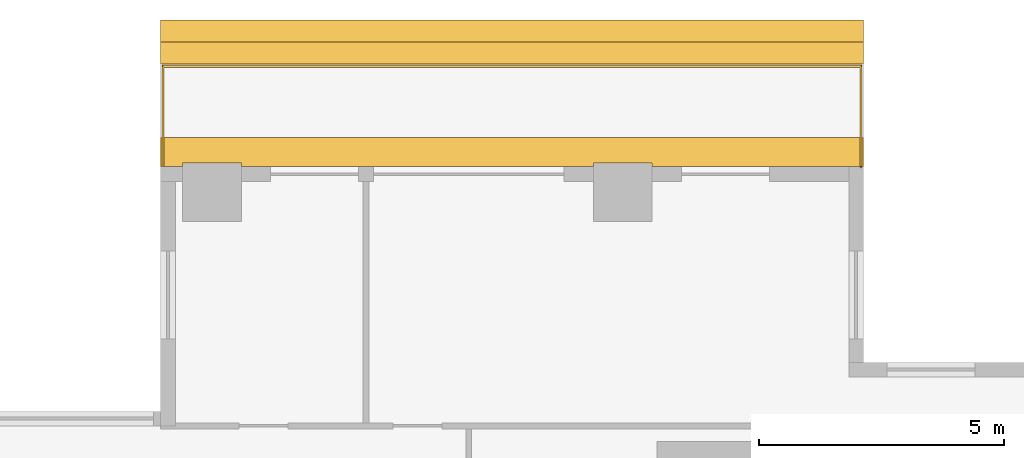
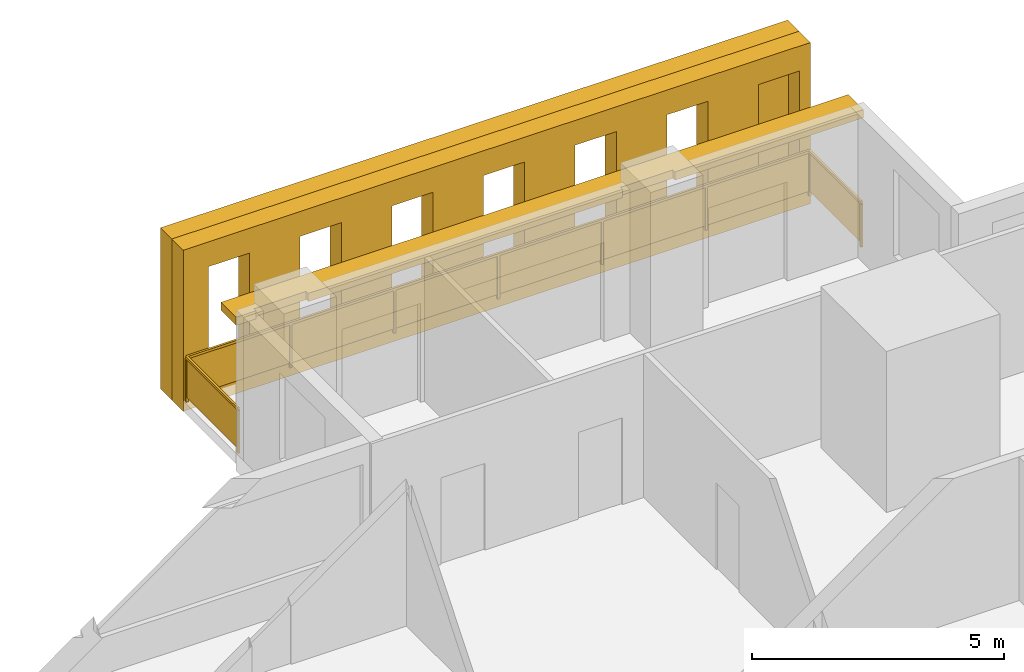
# One storey, part 16 of 16: 3 shading devices, 1 railing.
"""IFC4 building model written with IfcOpenShell, lengths in metres."""

from ifc_helpers import new_model, si_unit, direction, frame, origin, origin_2d, place, context, subcontext, project, spatial, polyline, rectangle, outline, extrude, material, layer, layer_set, type_object, element, save


model = new_model("IFC4")

# Units and contexts
model_context = context("Model", 3, precision=1e-05, world=origin(), true_north=direction((0.0, 1.0)))
body_context = subcontext(model_context, "Body", "Model", "MODEL_VIEW")
ifc_project = project(units=[si_unit("LENGTHUNIT", "METRE"), si_unit("AREAUNIT", "SQUARE_METRE"), si_unit("VOLUMEUNIT", "CUBIC_METRE"), si_unit("PLANEANGLEUNIT", "RADIAN"), si_unit("MASSUNIT", "GRAM", prefix="KILO")], contexts=[model_context])

# Site, building, storey
site_placement = place(None, origin())
site = spatial("IfcSite", under=ifc_project, at=site_placement, CompositionType="ELEMENT")
building_placement = place(site_placement, origin())
building = spatial("IfcBuilding", under=site, at=building_placement, Name="Khepri Terraces", CompositionType="ELEMENT")
storey_placement = place(building_placement, frame((0.0, 0.0, 153.300048828125)))
storey = spatial("IfcBuildingStorey", under=building, at=storey_placement, Name="L36", CompositionType="ELEMENT", Elevation=153.300048828125)

# Railing
ifc_material_1 = material(Name="Stainless steel grade 316", Category="steel")
railing_type = type_object("IfcRailingType", Name="GRD-BAL-1100", PredefinedType="GUARDRAIL", material=ifc_material_1)
railing_placement = place(storey_placement, frame((21.669921875, 25.719970703125, 0.0)))
element("IfcRailing", 1, at=railing_placement, inside=storey, type_object=railing_type, Name="Balcony guard L36 N", PredefinedType="GUARDRAIL", context=body_context, shape_type="SweptSolid", body=[
    extrude(rectangle(XDim=0.050048828125, YDim=0.06005859375, at=origin_2d()), frame((0.0, 0.0, 1.070068359375), z_axis=(0.0, 1.0, 0.0), x_axis=(-1.0, 0.0, 0.0)), (0.0, 0.0, 1.0), 2.050048828125),
    extrude(rectangle(XDim=2.0, YDim=0.011962890625, at=origin_2d()), frame((0.0, 1.02490234375, 0.10009765625), z_axis=(0.0, 0.0, 1.0), x_axis=(0.0, 1.0, 0.0)), (0.0, 0.0, 1.0), 0.93994140625),
    extrude(rectangle(XDim=0.050048828125, YDim=0.06005859375, at=origin_2d()), frame((0.0, 2.050048828125, 1.070068359375), z_axis=(-1.0, 0.0, 0.0), x_axis=(0.0, -1.0, 0.0)), (0.0, 0.0, 1.0), 14.27001953125),
    extrude(rectangle(XDim=2.328369140625, YDim=0.011962890625, at=origin_2d()), frame((-1.189208984375, 2.050048828125, 0.10009765625), z_axis=(0.0, 0.0, 1.0), x_axis=(-1.0, 0.0, 0.0)), (0.0, 0.0, 1.0), 0.93994140625),
    extrude(rectangle(XDim=2.328369140625, YDim=0.011962890625, at=origin_2d()), frame((-3.5673828125, 2.050048828125, 0.10009765625), z_axis=(0.0, 0.0, 1.0), x_axis=(-1.0, 0.0, 0.0)), (0.0, 0.0, 1.0), 0.93994140625),
    extrude(rectangle(XDim=2.328369140625, YDim=0.011962890625, at=origin_2d()), frame((-5.94580078125, 2.050048828125, 0.10009765625), z_axis=(0.0, 0.0, 1.0), x_axis=(-1.0, 0.0, 0.0)), (0.0, 0.0, 1.0), 0.93994140625),
    extrude(rectangle(XDim=2.328369140625, YDim=0.011962890625, at=origin_2d()), frame((-8.32421875, 2.050048828125, 0.10009765625), z_axis=(0.0, 0.0, 1.0), x_axis=(-1.0, 0.0, 0.0)), (0.0, 0.0, 1.0), 0.93994140625),
    extrude(rectangle(XDim=2.328369140625, YDim=0.011962890625, at=origin_2d()), frame((-10.70263671875, 2.050048828125, 0.10009765625), z_axis=(0.0, 0.0, 1.0), x_axis=(-1.0, 0.0, 0.0)), (0.0, 0.0, 1.0), 0.93994140625),
    extrude(rectangle(XDim=2.328369140625, YDim=0.011962890625, at=origin_2d()), frame((-13.080810546875, 2.050048828125, 0.10009765625), z_axis=(0.0, 0.0, 1.0), x_axis=(-1.0, 0.0, 0.0)), (0.0, 0.0, 1.0), 0.93994140625),
    extrude(rectangle(XDim=0.050048828125, YDim=0.06005859375, at=origin_2d()), frame((-14.27001953125, 2.050048828125, 1.070068359375), z_axis=(0.0, -1.0, 0.0), x_axis=(1.0, 0.0, 0.0)), (0.0, 0.0, 1.0), 2.050048828125),
    extrude(rectangle(XDim=2.0, YDim=0.011962890625, at=origin_2d()), frame((-14.27001953125, 1.02490234375, 0.10009765625), z_axis=(0.0, 0.0, 1.0), x_axis=(0.0, -1.0, 0.0)), (0.0, 0.0, 1.0), 0.93994140625),
    extrude(rectangle(XDim=0.050048828125, YDim=0.050048828125, at=origin_2d()), origin(), (0.0, 0.0, 1.0), 1.0400390625),
    extrude(rectangle(XDim=0.050048828125, YDim=0.050048828125, at=origin_2d()), frame((0.0, 2.050048828125, 0.0)), (0.0, 0.0, 1.0), 1.0400390625),
    extrude(rectangle(XDim=0.050048828125, YDim=0.050048828125, at=origin_2d()), frame((-2.37841796875, 2.050048828125, 0.0)), (0.0, 0.0, 1.0), 1.0400390625),
    extrude(rectangle(XDim=0.050048828125, YDim=0.050048828125, at=origin_2d()), frame((-4.756591796875, 2.050048828125, 0.0)), (0.0, 0.0, 1.0), 1.0400390625),
    extrude(rectangle(XDim=0.050048828125, YDim=0.050048828125, at=origin_2d()), frame((-7.135009765625, 2.050048828125, 0.0)), (0.0, 0.0, 1.0), 1.0400390625),
    extrude(rectangle(XDim=0.050048828125, YDim=0.050048828125, at=origin_2d()), frame((-9.513427734375, 2.050048828125, 0.0)), (0.0, 0.0, 1.0), 1.0400390625),
    extrude(rectangle(XDim=0.050048828125, YDim=0.050048828125, at=origin_2d()), frame((-11.8916015625, 2.050048828125, 0.0)), (0.0, 0.0, 1.0), 1.0400390625),
    extrude(rectangle(XDim=0.050048828125, YDim=0.050048828125, at=origin_2d()), frame((-14.27001953125, 2.050048828125, 0.0)), (0.0, 0.0, 1.0), 1.0400390625),
    extrude(rectangle(XDim=0.050048828125, YDim=0.050048828125, at=origin_2d()), frame((-14.27001953125, 0.0, 0.0)), (0.0, 0.0, 1.0), 1.0400390625),
])

# Shading devices
ifc_material_2 = material(Name="Precast concrete C50/60 warm stone", Category="masonry")
shading_device_type_1 = type_object("IfcShadingDeviceType", Name="SCR-CELL-INNER-450", PredefinedType="USERDEFINED", material=ifc_material_2)
shading_device_1_placement = place(storey_placement, frame((21.719970703125, 27.820068359375, -0.25), z_axis=(0.0, 1.0, 0.0), x_axis=(-1.0, 0.0, 0.0)))
element("IfcShadingDevice", 2, at=shading_device_1_placement, inside=storey, type_object=shading_device_type_1, Name="Cell screen L36 N in", ObjectType="SCREEN", PredefinedType="USERDEFINED", context=body_context, shape_type="SweptSolid", body=[
    extrude(outline(polyline([(0.0, 0.0), (14.3701171875, 0.0), (14.3701171875, 3.89990234375), (0.0, 3.89990234375), (0.0, 0.0)]), holes=[polyline([(0.24755859375, 0.699951171875), (1.1923828125, 0.699951171875), (1.1923828125, 3.300048828125), (0.24755859375, 3.300048828125), (0.24755859375, 0.699951171875)]), polyline([(2.347412109375, 0.699951171875), (3.29248046875, 0.699951171875), (3.29248046875, 3.300048828125), (2.347412109375, 3.300048828125), (2.347412109375, 0.699951171875)]), polyline([(4.447509765625, 0.699951171875), (5.392578125, 0.699951171875), (5.392578125, 3.300048828125), (4.447509765625, 3.300048828125), (4.447509765625, 0.699951171875)]), polyline([(6.547607421875, 0.699951171875), (7.492431640625, 0.699951171875), (7.492431640625, 3.300048828125), (6.547607421875, 3.300048828125), (6.547607421875, 0.699951171875)]), polyline([(8.6474609375, 0.699951171875), (9.592529296875, 0.699951171875), (9.592529296875, 3.300048828125), (8.6474609375, 3.300048828125), (8.6474609375, 0.699951171875)]), polyline([(10.74755859375, 0.699951171875), (11.6923828125, 0.699951171875), (11.6923828125, 3.300048828125), (10.74755859375, 3.300048828125), (10.74755859375, 0.699951171875)]), polyline([(12.847412109375, 0.699951171875), (13.79248046875, 0.699951171875), (13.79248046875, 3.300048828125), (12.847412109375, 3.300048828125), (12.847412109375, 0.699951171875)])]), origin(), (0.0, 0.0, 1.0), 0.449951171875),
])
shading_device_type_2 = type_object("IfcShadingDeviceType", Name="SCR-CELL-OUTER-450", PredefinedType="USERDEFINED", material=ifc_material_2)
shading_device_2_placement = place(storey_placement, frame((21.719970703125, 28.27001953125, -0.25), z_axis=(0.0, 1.0, 0.0), x_axis=(-1.0, 0.0, 0.0)))
element("IfcShadingDevice", 3, at=shading_device_2_placement, inside=storey, type_object=shading_device_type_2, Name="Cell screen L36 N out", ObjectType="SCREEN", PredefinedType="USERDEFINED", context=body_context, shape_type="SweptSolid", body=[
    extrude(outline(polyline([(0.0, 0.0), (14.3701171875, 0.0), (14.3701171875, 3.89990234375), (0.0, 3.89990234375), (0.0, 0.0)]), holes=[polyline([(1.99755859375, 0.449951171875), (3.642578125, 0.449951171875), (3.642578125, 3.550048828125), (1.99755859375, 3.550048828125), (1.99755859375, 0.449951171875)]), polyline([(4.097412109375, 0.449951171875), (5.742431640625, 0.449951171875), (5.742431640625, 3.550048828125), (4.097412109375, 3.550048828125), (4.097412109375, 0.449951171875)]), polyline([(6.197509765625, 0.449951171875), (7.842529296875, 0.449951171875), (7.842529296875, 3.550048828125), (6.197509765625, 3.550048828125), (6.197509765625, 0.449951171875)]), polyline([(8.297607421875, 0.449951171875), (9.9423828125, 0.449951171875), (9.9423828125, 3.550048828125), (8.297607421875, 3.550048828125), (8.297607421875, 0.449951171875)]), polyline([(10.3974609375, 0.449951171875), (12.04248046875, 0.449951171875), (12.04248046875, 3.550048828125), (10.3974609375, 3.550048828125), (10.3974609375, 0.449951171875)]), polyline([(12.49755859375, 0.449951171875), (14.142578125, 0.449951171875), (14.142578125, 3.550048828125), (12.49755859375, 3.550048828125), (12.49755859375, 0.449951171875)])]), origin(), (0.0, 0.0, 1.0), 0.449951171875),
])
ifc_layer = layer(ifc_material_2, 0.199951171875, Name="Precast concrete C50/60 warm stone", Category="masonry")
ifc_layer_set = layer_set([ifc_layer], Name="Precast concrete C50/60 warm stone")
shading_device_type_3 = type_object("IfcShadingDeviceType", Name="SSH-BAND-STONE-200-N", PredefinedType="USERDEFINED", material=ifc_layer_set)
shading_device_3_placement = place(storey_placement, frame((0.0, 0.0, 3.099853515625)))
element("IfcShadingDevice", 4, at=shading_device_3_placement, inside=storey, type_object=shading_device_type_3, Name="Sunshade band L36 N", ObjectType="SUNSHADE", PredefinedType="USERDEFINED", context=body_context, shape_type="SweptSolid", body=[
    extrude(outline(polyline([(17.39990234375, 25.719970703125), (21.719970703125, 25.719970703125), (21.719970703125, 26.320068359375), (7.35009765625, 26.320068359375), (7.35009765625, 25.719970703125), (7.800048828125, 25.719970703125), (7.800048828125, 25.800048828125), (9.0, 25.800048828125), (9.0, 25.719970703125), (16.199951171875, 25.719970703125), (16.199951171875, 25.800048828125), (17.39990234375, 25.800048828125), (17.39990234375, 25.719970703125)])), origin(), (0.0, 0.0, 1.0), 0.2001953125),
])

save(model, "model.ifc")
